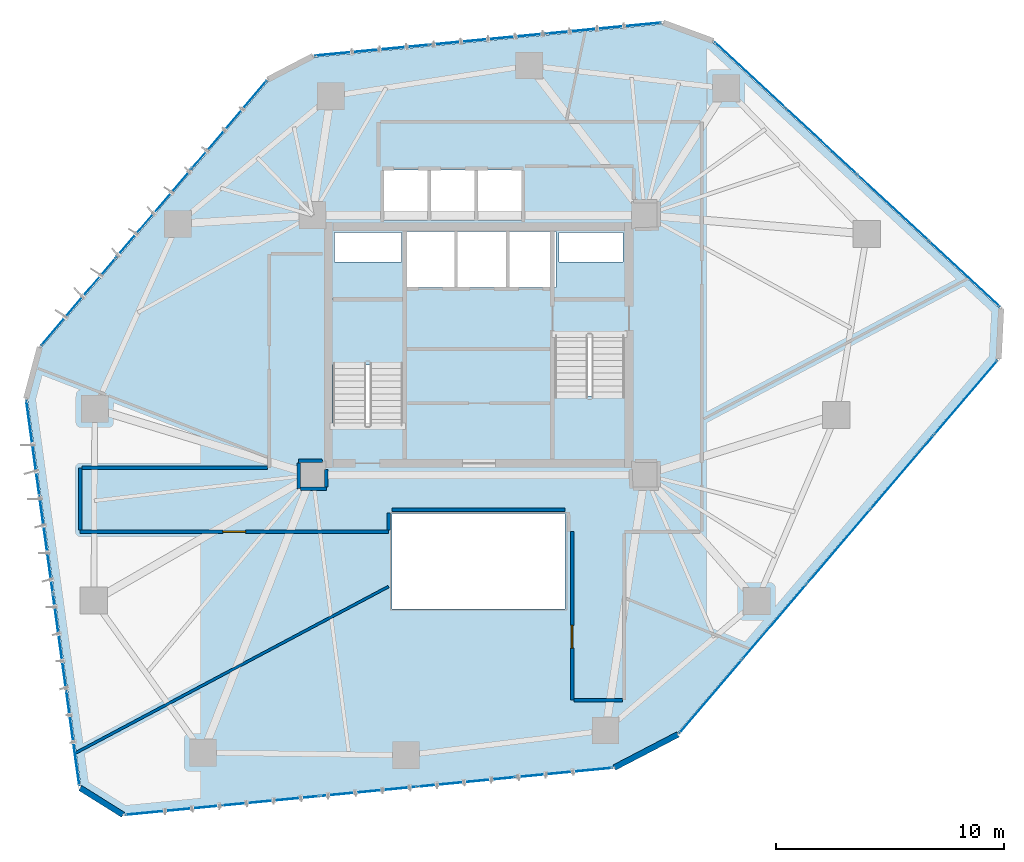
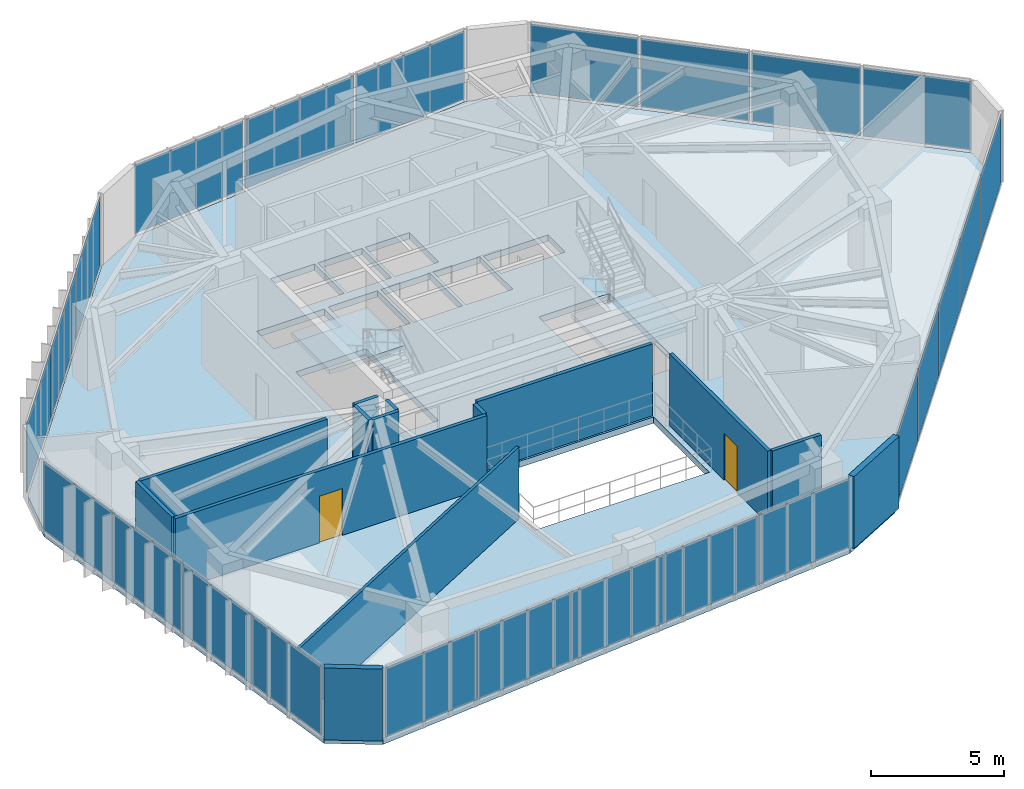
# One storey, part 17 of 22: 24 plates, 14 walls, 3 slabs, 2 doors, 2 openings, 8 elements without a shape of their own.
"""IFC4 building model written with IfcOpenShell, lengths in metres."""

from ifc_helpers import new_model, si_unit, direction, frame, frame_2d, origin, origin_2d, place, context, subcontext, project, spatial, polyline, rectangle, outline, extrude, source, transform, mapped, material, layer, layer_set, type_object, type_shapes, element, fill, aggregate, save


model = new_model("IFC4")

# Units and contexts
model_context = context("Model", 3, precision=1e-05, world=origin(), true_north=direction((0.0, 1.0)))
body_context = subcontext(model_context, "Body", "Model", "MODEL_VIEW")
ifc_project = project(units=[si_unit("LENGTHUNIT", "METRE"), si_unit("AREAUNIT", "SQUARE_METRE"), si_unit("VOLUMEUNIT", "CUBIC_METRE"), si_unit("PLANEANGLEUNIT", "RADIAN"), si_unit("MASSUNIT", "GRAM", prefix="KILO")], contexts=[model_context])

# Site, building, storey
site_placement = place(None, origin())
site = spatial("IfcSite", under=ifc_project, at=site_placement, CompositionType="ELEMENT")
building_placement = place(site_placement, origin())
building = spatial("IfcBuilding", under=site, at=building_placement, Name="Talar Marvaseh", CompositionType="ELEMENT")
storey_placement = place(building_placement, frame((0.0, 0.0, 107.39990234375)))
storey = spatial("IfcBuildingStorey", under=building, at=storey_placement, Name="L27", CompositionType="ELEMENT", Elevation=107.39990234375)

# Stair, slab
ifc_material_1 = material(Name="Concrete C40/50", Category="concrete")
stair_type = type_object("IfcStairType", Name="Reinforced Concrete Half-Turn Exit Stair Type B", PredefinedType="HALF_TURN_STAIR", material=ifc_material_1)
stair_1_placement = place(storey_placement, origin())
stair_1 = element("IfcStair", 1, at=stair_1_placement, inside=storey, type_object=stair_type, Name="L27 Tower West Core Exit Stair", PredefinedType="HALF_TURN_STAIR")
ifc_layer_1 = layer(ifc_material_1, 0.199951171875)
ifc_layer_set_1 = layer_set([ifc_layer_1], Name="Concrete C40/50")
slab_type_1 = type_object("IfcSlabType", Name="Reinforced Concrete Stair Half-Landing Slab 200", PredefinedType="LANDING", material=ifc_layer_set_1)
slab_1_placement = place(storey_placement, frame((0.0, 0.0, 1.60009765625)))
slab_1 = element("IfcSlab", 2, at=slab_1_placement, type_object=slab_type_1, Name="ST-1 landing 1", PredefinedType="LANDING", context=body_context, shape_type="SweptSolid", body=[
    extrude(outline(polyline([(22.780029296875, 30.330078125), (22.780029296875, 33.219970703125), (19.47998046875, 33.219970703125), (19.47998046875, 30.330078125), (22.780029296875, 30.330078125)])), origin(), (0.0, 0.0, 1.0), 0.199951171875),
])
aggregate(stair_1, [slab_1])

stair_2_placement = place(storey_placement, origin())
stair_2 = element("IfcStair", 3, at=stair_2_placement, inside=storey, type_object=stair_type, Name="L27 Tower East Core Exit Stair", PredefinedType="HALF_TURN_STAIR")
slab_2_placement = place(storey_placement, frame((0.0, 0.0, 1.60009765625)))
slab_2 = element("IfcSlab", 4, at=slab_2_placement, type_object=slab_type_1, Name="ST-2 landing 1", PredefinedType="LANDING", context=body_context, shape_type="SweptSolid", body=[
    extrude(outline(polyline([(29.219970703125, 28.969970703125), (29.219970703125, 26.080078125), (32.52001953125, 26.080078125), (32.52001953125, 28.969970703125), (29.219970703125, 28.969970703125)])), origin(), (0.0, 0.0, 1.0), 0.199951171875),
])
aggregate(stair_2, [slab_2])

# Slab
ifc_layer_2 = layer(ifc_material_1, 0.2900390625)
ifc_layer_set_2 = layer_set([ifc_layer_2], Name="Concrete C40/50")
slab_type_2 = type_object("IfcSlabType", Name="Structural Suspended Floor Slab 290", PredefinedType="FLOOR", material=ifc_layer_set_2)
slab_3_placement = place(storey_placement, frame((0.0, 0.0, -0.289794921875)))
element("IfcSlab", 5, at=slab_3_placement, inside=storey, type_object=slab_type_2, Name="L27 Tower Floor Slab", PredefinedType="FLOOR", context=body_context, shape_type="SweptSolid", body=[
    extrude(outline(polyline([(10.4111328125, 10.618896484375), (8.53271484375, 11.7958984375), (6.185791015625, 28.826416015625), (6.786865234375, 31.0888671875), (16.76806640625, 42.803466796875), (18.759521484375, 43.840087890625), (34.080322265625, 45.297119140625), (36.2783203125, 44.49169921875), (48.8828125, 32.80078125), (48.769775390625, 30.587158203125), (34.7275390625, 14.151123046875), (31.928955078125, 12.694091796875), (10.4111328125, 10.618896484375)]), holes=[polyline([(22.659912109375, 27.64990234375), (22.659912109375, 33.10009765625), (19.60009765625, 33.10009765625), (19.60009765625, 27.64990234375), (22.659912109375, 27.64990234375)]), polyline([(29.340087890625, 31.64990234375), (29.340087890625, 26.199951171875), (32.39990234375, 26.199951171875), (32.39990234375, 31.64990234375), (29.340087890625, 31.64990234375)]), polyline([(22.800048828125, 33.719970703125), (24.93994140625, 33.719970703125), (24.93994140625, 36.179931640625), (22.800048828125, 36.179931640625), (22.800048828125, 33.719970703125)]), polyline([(25.080078125, 33.719970703125), (27.219970703125, 33.719970703125), (27.219970703125, 36.179931640625), (25.080078125, 36.179931640625), (25.080078125, 33.719970703125)]), polyline([(27.360107421875, 33.719970703125), (29.39990234375, 33.719970703125), (29.39990234375, 36.179931640625), (27.360107421875, 36.179931640625), (27.360107421875, 33.719970703125)]), polyline([(21.840087890625, 36.659912109375), (23.760009765625, 36.659912109375), (23.760009765625, 38.8798828125), (21.840087890625, 38.8798828125), (21.840087890625, 36.659912109375)]), polyline([(23.89990234375, 36.659912109375), (25.820068359375, 36.659912109375), (25.820068359375, 38.8798828125), (23.89990234375, 38.8798828125), (23.89990234375, 36.659912109375)]), polyline([(25.9599609375, 36.659912109375), (27.8798828125, 36.659912109375), (27.8798828125, 38.8798828125), (25.9599609375, 38.8798828125), (25.9599609375, 36.659912109375)]), polyline([(19.659912109375, 34.840087890625), (22.60009765625, 34.840087890625), (22.60009765625, 36.139892578125), (19.659912109375, 36.139892578125), (19.659912109375, 34.840087890625)]), polyline([(29.52001953125, 34.840087890625), (32.340087890625, 34.840087890625), (32.340087890625, 36.139892578125), (29.52001953125, 36.139892578125), (29.52001953125, 34.840087890625)]), polyline([(22.199951171875, 19.60009765625), (29.800048828125, 19.60009765625), (29.800048828125, 23.800048828125), (22.199951171875, 23.800048828125), (22.199951171875, 19.60009765625)])]), origin(), (0.0, 0.0, 1.0), 0.289794921875),
])

# Curtain wall, plates
ifc_material_2 = material(Name="Architectural Aluminium", Category="aluminium")
ifc_layer_3 = layer(ifc_material_2, 0.199951171875)
ifc_layer_set_3 = layer_set([ifc_layer_3], Name="Architectural Aluminium")
curtain_wall_type = type_object("IfcCurtainWallType", Name="Unitised Acoustic Library Curtain Wall Z2", PredefinedType="NOTDEFINED", material=ifc_layer_set_3)
curtain_wall_1_placement = place(storey_placement, origin())
curtain_wall_1 = element("IfcCurtainWall", 6, at=curtain_wall_1_placement, inside=storey, type_object=curtain_wall_type, Name="L27 Unitised Acoustic Library Curtain Wall Z2", PredefinedType="NOTDEFINED")
ifc_material_3 = material(Name="Laminated Low-E Solar Glass", Category="glass")
ifc_layer_4 = layer(ifc_material_3, 0.028076171875)
ifc_layer_set_4 = layer_set([ifc_layer_4], Name="Laminated Low-E Solar Glass")
plate_type = type_object("IfcPlateType", Name="Double-Glazed Low-E Vision Curtain Panel 28", PredefinedType="CURTAIN_PANEL", material=ifc_layer_set_4)
shared_shape_1 = source(origin(), body_context, "Body", "SweptSolid", [
    extrude(rectangle(XDim=4.185302734375, YDim=0.028076171875, at=origin_2d()), origin(), (0.0, 0.0, 1.0), 3.159912109375),
])
plate_1_placement = place(storey_placement, frame((8.177490234375, 13.93505859375, 0.0751953125), z_axis=(0.0, 0.0, 1.0), x_axis=(-0.136514767906, 0.990638035886, 0.0)))
plate_1 = element("IfcPlate", 7, at=plate_1_placement, type_object=plate_type, Name="CW-Z2 panel 1.1", PredefinedType="CURTAIN_PANEL", context=body_context, shape_type="MappedRepresentation", body=[
    mapped(shared_shape_1, transform((0.0, 0.0, 0.0), x_axis=(1.0, 0.0, 0.0), y_axis=(0.0, 1.0, 0.0), z_axis=(0.0, 0.0, 1.0), scale=1.0)),
])
plate_2_placement = place(storey_placement, frame((6.42236328125, 26.6708984375, 0.0751953125), z_axis=(0.0, 0.0, 1.0), x_axis=(-0.136514767906, 0.990638035886, 0.0)))
plate_2 = element("IfcPlate", 8, at=plate_2_placement, type_object=plate_type, Name="CW-Z2 panel 4.1", PredefinedType="CURTAIN_PANEL", context=body_context, shape_type="MappedRepresentation", body=[
    mapped(shared_shape_1, transform((0.0, 0.0, 0.0), x_axis=(1.0, 0.0, 0.0), y_axis=(0.0, 1.0, 0.0), z_axis=(0.0, 0.0, 1.0), scale=1.0)),
])

curtain_wall_2_placement = place(storey_placement, origin())
curtain_wall_2 = element("IfcCurtainWall", 9, at=curtain_wall_2_placement, inside=storey, type_object=curtain_wall_type, Name="L27 Unitised Acoustic Library Curtain Wall Z2", PredefinedType="NOTDEFINED")
plate_3_placement = place(storey_placement, frame((37.908203125, 43.0615234375, 0.0751953125), z_axis=(0.0, 0.0, 1.0), x_axis=(0.733184100264, -0.680030201623, 0.0)))
plate_3 = element("IfcPlate", 10, at=plate_3_placement, type_object=plate_type, Name="CW-Z2 panel 1.1", PredefinedType="CURTAIN_PANEL", context=body_context, shape_type="MappedRepresentation", body=[
    mapped(shared_shape_1, transform((0.0, 0.0, 0.0), x_axis=(1.0, 0.0, 0.0), y_axis=(0.0, 1.0, 0.0), z_axis=(0.0, 0.0, 1.0), scale=1.0)),
])
plate_4_placement = place(storey_placement, frame((47.334228515625, 34.31884765625, 0.0751953125), z_axis=(0.0, 0.0, 1.0), x_axis=(0.733184100264, -0.680030201623, 0.0)))
plate_4 = element("IfcPlate", 11, at=plate_4_placement, type_object=plate_type, Name="CW-Z2 panel 4.1", PredefinedType="CURTAIN_PANEL", context=body_context, shape_type="MappedRepresentation", body=[
    mapped(shared_shape_1, transform((0.0, 0.0, 0.0), x_axis=(1.0, 0.0, 0.0), y_axis=(0.0, 1.0, 0.0), z_axis=(0.0, 0.0, 1.0), scale=1.0)),
])

# Plate
shared_shape_2 = source(origin(), body_context, "Body", "SweptSolid", [
    extrude(rectangle(XDim=4.222900390625, YDim=0.028076171875, at=origin_2d()), origin(), (0.0, 0.0, 1.0), 3.159912109375),
])
plate_5_placement = place(storey_placement, frame((7.59326171875, 18.174072265625, 0.0751953125), z_axis=(0.0, 0.0, 1.0), x_axis=(-0.136514767906, 0.990638035886, 0.0)))
plate_5 = element("IfcPlate", 12, at=plate_5_placement, type_object=plate_type, Name="CW-Z2 panel 2.1", PredefinedType="CURTAIN_PANEL", context=body_context, shape_type="MappedRepresentation", body=[
    mapped(shared_shape_2, transform((0.0, 0.0, 0.0), x_axis=(1.0, 0.0, 0.0), y_axis=(0.0, 1.0, 0.0), z_axis=(0.0, 0.0, 1.0), scale=1.0)),
])

plate_6_placement = place(storey_placement, frame((7.006591796875, 22.431884765625, 0.0751953125), z_axis=(0.0, 0.0, 1.0), x_axis=(-0.136514767906, 0.990638035886, 0.0)))
plate_6 = element("IfcPlate", 13, at=plate_6_placement, type_object=plate_type, Name="CW-Z2 panel 3.1", PredefinedType="CURTAIN_PANEL", context=body_context, shape_type="MappedRepresentation", body=[
    mapped(shared_shape_2, transform((0.0, 0.0, 0.0), x_axis=(1.0, 0.0, 0.0), y_axis=(0.0, 1.0, 0.0), z_axis=(0.0, 0.0, 1.0), scale=1.0)),
])

aggregate(curtain_wall_1, [plate_1, plate_5, plate_6, plate_2])

plate_7_placement = place(storey_placement, frame((41.045654296875, 40.151611328125, 0.0751953125), z_axis=(0.0, 0.0, 1.0), x_axis=(0.733184100264, -0.680030201623, 0.0)))
plate_7 = element("IfcPlate", 14, at=plate_7_placement, type_object=plate_type, Name="CW-Z2 panel 2.1", PredefinedType="CURTAIN_PANEL", context=body_context, shape_type="MappedRepresentation", body=[
    mapped(shared_shape_2, transform((0.0, 0.0, 0.0), x_axis=(1.0, 0.0, 0.0), y_axis=(0.0, 1.0, 0.0), z_axis=(0.0, 0.0, 1.0), scale=1.0)),
])

plate_8_placement = place(storey_placement, frame((44.19677734375, 37.228759765625, 0.0751953125), z_axis=(0.0, 0.0, 1.0), x_axis=(0.733184100264, -0.680030201623, 0.0)))
plate_8 = element("IfcPlate", 15, at=plate_8_placement, type_object=plate_type, Name="CW-Z2 panel 3.1", PredefinedType="CURTAIN_PANEL", context=body_context, shape_type="MappedRepresentation", body=[
    mapped(shared_shape_2, transform((0.0, 0.0, 0.0), x_axis=(1.0, 0.0, 0.0), y_axis=(0.0, 1.0, 0.0), z_axis=(0.0, 0.0, 1.0), scale=1.0)),
])

aggregate(curtain_wall_2, [plate_3, plate_7, plate_8, plate_4])

# Curtain wall, plates
curtain_wall_3_placement = place(storey_placement, origin())
curtain_wall_3 = element("IfcCurtainWall", 16, at=curtain_wall_3_placement, inside=storey, type_object=curtain_wall_type, Name="L27 Unitised Acoustic Library Curtain Wall Z2", PredefinedType="NOTDEFINED")
shared_shape_3 = source(origin(), body_context, "Body", "SweptSolid", [
    extrude(rectangle(XDim=5.017578125, YDim=0.028076171875, at=origin_2d()), origin(), (0.0, 0.0, 1.0), 3.159912109375),
])
plate_9_placement = place(storey_placement, frame((8.416748046875, 33.094482421875, 0.0751953125), z_axis=(0.0, 0.0, 1.0), x_axis=(0.648545384847, 0.7611759874, 0.0)))
plate_9 = element("IfcPlate", 17, at=plate_9_placement, type_object=plate_type, Name="CW-Z2 panel 1.1", PredefinedType="CURTAIN_PANEL", context=body_context, shape_type="MappedRepresentation", body=[
    mapped(shared_shape_3, transform((0.0, 0.0, 0.0), x_axis=(1.0, 0.0, 0.0), y_axis=(0.0, 1.0, 0.0), z_axis=(0.0, 0.0, 1.0), scale=1.0)),
])
plate_10_placement = place(storey_placement, frame((15.046630859375, 40.875732421875, 0.0751953125), z_axis=(0.0, 0.0, 1.0), x_axis=(0.648545384847, 0.7611759874, 0.0)))
plate_10 = element("IfcPlate", 18, at=plate_10_placement, type_object=plate_type, Name="CW-Z2 panel 3.1", PredefinedType="CURTAIN_PANEL", context=body_context, shape_type="MappedRepresentation", body=[
    mapped(shared_shape_3, transform((0.0, 0.0, 0.0), x_axis=(1.0, 0.0, 0.0), y_axis=(0.0, 1.0, 0.0), z_axis=(0.0, 0.0, 1.0), scale=1.0)),
])

curtain_wall_4_placement = place(storey_placement, origin())
curtain_wall_4 = element("IfcCurtainWall", 19, at=curtain_wall_4_placement, inside=storey, type_object=curtain_wall_type, Name="L27 Unitised Acoustic Library Curtain Wall Z2", PredefinedType="NOTDEFINED")
plate_11_placement = place(storey_placement, frame((21.325927734375, 44.144287109375, 0.0751953125), z_axis=(0.0, 0.0, 1.0), x_axis=(0.995508604394, 0.094671107411, 0.0)))
plate_11 = element("IfcPlate", 20, at=plate_11_placement, type_object=plate_type, Name="CW-Z2 panel 1.1", PredefinedType="CURTAIN_PANEL", context=body_context, shape_type="MappedRepresentation", body=[
    mapped(shared_shape_3, transform((0.0, 0.0, 0.0), x_axis=(1.0, 0.0, 0.0), y_axis=(0.0, 1.0, 0.0), z_axis=(0.0, 0.0, 1.0), scale=1.0)),
])
plate_12_placement = place(storey_placement, frame((31.50244140625, 45.1123046875, 0.0751953125), z_axis=(0.0, 0.0, 1.0), x_axis=(0.995508604394, 0.094671107411, 0.0)))
plate_12 = element("IfcPlate", 21, at=plate_12_placement, type_object=plate_type, Name="CW-Z2 panel 3.1", PredefinedType="CURTAIN_PANEL", context=body_context, shape_type="MappedRepresentation", body=[
    mapped(shared_shape_3, transform((0.0, 0.0, 0.0), x_axis=(1.0, 0.0, 0.0), y_axis=(0.0, 1.0, 0.0), z_axis=(0.0, 0.0, 1.0), scale=1.0)),
])

# Plate
shared_shape_4 = source(origin(), body_context, "Body", "SweptSolid", [
    extrude(rectangle(XDim=5.054931640625, YDim=0.028076171875, at=origin_2d()), origin(), (0.0, 0.0, 1.0), 3.159912109375),
])
plate_13_placement = place(storey_placement, frame((11.731689453125, 36.985107421875, 0.0751953125), z_axis=(0.0, 0.0, 1.0), x_axis=(0.648545384847, 0.7611759874, 0.0)))
plate_13 = element("IfcPlate", 22, at=plate_13_placement, type_object=plate_type, Name="CW-Z2 panel 2.1", PredefinedType="CURTAIN_PANEL", context=body_context, shape_type="MappedRepresentation", body=[
    mapped(shared_shape_4, transform((0.0, 0.0, 0.0), x_axis=(1.0, 0.0, 0.0), y_axis=(0.0, 1.0, 0.0), z_axis=(0.0, 0.0, 1.0), scale=1.0)),
])

aggregate(curtain_wall_3, [plate_9, plate_13, plate_10])

plate_14_placement = place(storey_placement, frame((26.414306640625, 44.62841796875, 0.0751953125), z_axis=(0.0, 0.0, 1.0), x_axis=(0.995508604394, 0.094671107411, 0.0)))
plate_14 = element("IfcPlate", 23, at=plate_14_placement, type_object=plate_type, Name="CW-Z2 panel 2.1", PredefinedType="CURTAIN_PANEL", context=body_context, shape_type="MappedRepresentation", body=[
    mapped(shared_shape_4, transform((0.0, 0.0, 0.0), x_axis=(1.0, 0.0, 0.0), y_axis=(0.0, 1.0, 0.0), z_axis=(0.0, 0.0, 1.0), scale=1.0)),
])

aggregate(curtain_wall_4, [plate_11, plate_14, plate_12])

# Curtain wall, plates
curtain_wall_5_placement = place(storey_placement, origin())
curtain_wall_5 = element("IfcCurtainWall", 24, at=curtain_wall_5_placement, inside=storey, type_object=curtain_wall_type, Name="L27 Unitised Acoustic Library Curtain Wall Z2", PredefinedType="NOTDEFINED")
shared_shape_5 = source(origin(), body_context, "Body", "SweptSolid", [
    extrude(rectangle(XDim=4.2109375, YDim=0.028076171875, at=origin_2d()), origin(), (0.0, 0.0, 1.0), 3.159912109375),
])
plate_15_placement = place(storey_placement, frame((47.39892578125, 28.89013671875, 0.0751953125), z_axis=(0.0, 0.0, 1.0), x_axis=(-0.649566527801, -0.760304758607, 0.0)))
plate_15 = element("IfcPlate", 25, at=plate_15_placement, type_object=plate_type, Name="CW-Z2 panel 1.1", PredefinedType="CURTAIN_PANEL", context=body_context, shape_type="MappedRepresentation", body=[
    mapped(shared_shape_5, transform((0.0, 0.0, 0.0), x_axis=(1.0, 0.0, 0.0), y_axis=(0.0, 1.0, 0.0), z_axis=(0.0, 0.0, 1.0), scale=1.0)),
])
plate_16_placement = place(storey_placement, frame((36.189697265625, 15.77001953125, 0.0751953125), z_axis=(0.0, 0.0, 1.0), x_axis=(-0.649566527801, -0.760304758607, 0.0)))
plate_16 = element("IfcPlate", 26, at=plate_16_placement, type_object=plate_type, Name="CW-Z2 panel 5.1", PredefinedType="CURTAIN_PANEL", context=body_context, shape_type="MappedRepresentation", body=[
    mapped(shared_shape_5, transform((0.0, 0.0, 0.0), x_axis=(1.0, 0.0, 0.0), y_axis=(0.0, 1.0, 0.0), z_axis=(0.0, 0.0, 1.0), scale=1.0)),
])

curtain_wall_6_placement = place(storey_placement, origin())
curtain_wall_6 = element("IfcCurtainWall", 27, at=curtain_wall_6_placement, inside=storey, type_object=curtain_wall_type, Name="L27 Unitised Acoustic Library Curtain Wall Z2", PredefinedType="NOTDEFINED")
plate_17_placement = place(storey_placement, frame((29.76416015625, 12.425048828125, 0.0751953125), z_axis=(0.0, 0.0, 1.0), x_axis=(-0.995381306951, -0.096000280061, 0.0)))
plate_17 = element("IfcPlate", 28, at=plate_17_placement, type_object=plate_type, Name="CW-Z2 panel 1.1", PredefinedType="CURTAIN_PANEL", context=body_context, shape_type="MappedRepresentation", body=[
    mapped(shared_shape_5, transform((0.0, 0.0, 0.0), x_axis=(1.0, 0.0, 0.0), y_axis=(0.0, 1.0, 0.0), z_axis=(0.0, 0.0, 1.0), scale=1.0)),
])
plate_18_placement = place(storey_placement, frame((12.58740234375, 10.7685546875, 0.0751953125), z_axis=(0.0, 0.0, 1.0), x_axis=(-0.995381306951, -0.096000280061, 0.0)))
plate_18 = element("IfcPlate", 29, at=plate_18_placement, type_object=plate_type, Name="CW-Z2 panel 5.1", PredefinedType="CURTAIN_PANEL", context=body_context, shape_type="MappedRepresentation", body=[
    mapped(shared_shape_5, transform((0.0, 0.0, 0.0), x_axis=(1.0, 0.0, 0.0), y_axis=(0.0, 1.0, 0.0), z_axis=(0.0, 0.0, 1.0), scale=1.0)),
])

# Plate
shared_shape_6 = source(origin(), body_context, "Body", "SweptSolid", [
    extrude(rectangle(XDim=4.24853515625, YDim=0.028076171875, at=origin_2d()), origin(), (0.0, 0.0, 1.0), 3.159912109375),
])
type_shapes(plate_type, [shared_shape_1, shared_shape_2, shared_shape_3, shared_shape_4, shared_shape_5, shared_shape_6])
plate_19_placement = place(storey_placement, frame((44.602783203125, 25.6171875, 0.0751953125), z_axis=(0.0, 0.0, 1.0), x_axis=(-0.649566527801, -0.760304758607, 0.0)))
plate_19 = element("IfcPlate", 30, at=plate_19_placement, type_object=plate_type, Name="CW-Z2 panel 2.1", PredefinedType="CURTAIN_PANEL", context=body_context, shape_type="MappedRepresentation", body=[
    mapped(shared_shape_6, transform((0.0, 0.0, 0.0), x_axis=(1.0, 0.0, 0.0), y_axis=(0.0, 1.0, 0.0), z_axis=(0.0, 0.0, 1.0), scale=1.0)),
])

plate_20_placement = place(storey_placement, frame((41.794189453125, 22.330078125, 0.0751953125), z_axis=(0.0, 0.0, 1.0), x_axis=(-0.649566527801, -0.760304758607, 0.0)))
plate_20 = element("IfcPlate", 31, at=plate_20_placement, type_object=plate_type, Name="CW-Z2 panel 3.1", PredefinedType="CURTAIN_PANEL", context=body_context, shape_type="MappedRepresentation", body=[
    mapped(shared_shape_6, transform((0.0, 0.0, 0.0), x_axis=(1.0, 0.0, 0.0), y_axis=(0.0, 1.0, 0.0), z_axis=(0.0, 0.0, 1.0), scale=1.0)),
])

plate_21_placement = place(storey_placement, frame((38.98583984375, 19.04296875, 0.0751953125), z_axis=(0.0, 0.0, 1.0), x_axis=(-0.649566527801, -0.760304758607, 0.0)))
plate_21 = element("IfcPlate", 32, at=plate_21_placement, type_object=plate_type, Name="CW-Z2 panel 4.1", PredefinedType="CURTAIN_PANEL", context=body_context, shape_type="MappedRepresentation", body=[
    mapped(shared_shape_6, transform((0.0, 0.0, 0.0), x_axis=(1.0, 0.0, 0.0), y_axis=(0.0, 1.0, 0.0), z_axis=(0.0, 0.0, 1.0), scale=1.0)),
])

aggregate(curtain_wall_5, [plate_15, plate_19, plate_20, plate_21, plate_16])

plate_22_placement = place(storey_placement, frame((25.479248046875, 12.011962890625, 0.0751953125), z_axis=(0.0, 0.0, 1.0), x_axis=(-0.995381306951, -0.096000280061, 0.0)))
plate_22 = element("IfcPlate", 33, at=plate_22_placement, type_object=plate_type, Name="CW-Z2 panel 2.1", PredefinedType="CURTAIN_PANEL", context=body_context, shape_type="MappedRepresentation", body=[
    mapped(shared_shape_6, transform((0.0, 0.0, 0.0), x_axis=(1.0, 0.0, 0.0), y_axis=(0.0, 1.0, 0.0), z_axis=(0.0, 0.0, 1.0), scale=1.0)),
])

plate_23_placement = place(storey_placement, frame((21.17578125, 11.596923828125, 0.0751953125), z_axis=(0.0, 0.0, 1.0), x_axis=(-0.995381306951, -0.096000280061, 0.0)))
plate_23 = element("IfcPlate", 34, at=plate_23_placement, type_object=plate_type, Name="CW-Z2 panel 3.1", PredefinedType="CURTAIN_PANEL", context=body_context, shape_type="MappedRepresentation", body=[
    mapped(shared_shape_6, transform((0.0, 0.0, 0.0), x_axis=(1.0, 0.0, 0.0), y_axis=(0.0, 1.0, 0.0), z_axis=(0.0, 0.0, 1.0), scale=1.0)),
])

plate_24_placement = place(storey_placement, frame((16.872314453125, 11.181884765625, 0.0751953125), z_axis=(0.0, 0.0, 1.0), x_axis=(-0.995381306951, -0.096000280061, 0.0)))
plate_24 = element("IfcPlate", 35, at=plate_24_placement, type_object=plate_type, Name="CW-Z2 panel 4.1", PredefinedType="CURTAIN_PANEL", context=body_context, shape_type="MappedRepresentation", body=[
    mapped(shared_shape_6, transform((0.0, 0.0, 0.0), x_axis=(1.0, 0.0, 0.0), y_axis=(0.0, 1.0, 0.0), z_axis=(0.0, 0.0, 1.0), scale=1.0)),
])

aggregate(curtain_wall_6, [plate_17, plate_22, plate_23, plate_24, plate_18])

# Walls
ifc_material_4 = material(Name="Precast concrete C45/55", Category="concrete")
ifc_layer_5 = layer(ifc_material_4, 0.2548828125)
ifc_layer_set_5 = layer_set([ifc_layer_5], Name="Precast concrete C45/55")
wall_type_1 = type_object("IfcWallType", Name="Chamfered Hexagonal Corner Pier Wall Z2 255", PredefinedType="SOLIDWALL", material=ifc_layer_set_5)
wall_1_placement = place(storey_placement, frame((10.379150390625, 10.568115234375, 0.0), z_axis=(0.0, 0.0, 1.0), x_axis=(-0.847360323756, 0.531018344056, 0.0)))
element("IfcWall", 36, at=wall_1_placement, inside=storey, type_object=wall_type_1, Name="L27 Chamfered Corner Limestone Pier 1", PredefinedType="SOLIDWALL", context=body_context, shape_type="SweptSolid", body=[
    extrude(rectangle(XDim=2.216552734375, YDim=0.2548828125, at=frame_2d((1.1083984375, 0.0))), origin(), (0.0, 0.0, 1.0), 3.31005859375),
])
wall_2_placement = place(storey_placement, frame((34.75537109375, 14.097900390625, 0.0), z_axis=(0.0, 0.0, 1.0), x_axis=(-0.887035572235, -0.46170108684, 0.0)))
element("IfcWall", 37, at=wall_2_placement, inside=storey, type_object=wall_type_1, Name="L27 Chamfered Corner Limestone Pier 6", PredefinedType="SOLIDWALL", context=body_context, shape_type="SweptSolid", body=[
    extrude(rectangle(XDim=3.1552734375, YDim=0.2548828125, at=frame_2d((1.57763671875, 0.0))), origin(), (0.0, 0.0, 1.0), 3.31005859375),
])

# Wall, opening, door
ifc_material_5 = material(Name="Gypsum Board Partition Assembly")
ifc_layer_6 = layer(ifc_material_5, 0.155029296875)
ifc_layer_set_6 = layer_set([ifc_layer_6], Name="Gypsum Board Partition Assembly")
wall_type_2 = type_object("IfcWallType", Name="Corridor Fire-Rated Acoustic Partition 155", PredefinedType="PARTITIONING", material=ifc_layer_set_6)
wall_3_placement = place(storey_placement, frame((22.0400390625, 23.0, 0.0), z_axis=(0.0, 0.0, 1.0), x_axis=(-1.0, 0.0, 0.0)))
wall_3 = element("IfcWall", 38, at=wall_3_placement, inside=storey, type_object=wall_type_2, Name="L27 Interior Partition Wall", PredefinedType="PARTITIONING", context=body_context, shape_type="SweptSolid", body=[
    extrude(rectangle(XDim=13.5400390625, YDim=0.155029296875, at=frame_2d((6.77001953125, 0.0))), origin(), (0.0, 0.0, 1.0), 3.31005859375),
])
opening_1_placement = place(wall_3_placement, frame((6.27001953125, 0.0, 0.0)))
opening_1 = element("IfcOpeningElement", 39, at=opening_1_placement, cuts=wall_3, Name="Opening DR-RM100", PredefinedType="OPENING", context=body_context, shape_type="SweptSolid", body=[
    extrude(rectangle(XDim=1.0, YDim=2.14990234375, at=frame_2d((0.5, 1.074951171875))), frame((0.0, 0.08740234375, 0.0), z_axis=(0.0, -1.0, 0.0), x_axis=(1.0, 0.0, 0.0)), (0.0, 0.0, 1.0), 0.175048828125),
])
ifc_material_6 = material(Name="Acoustic Engineered Oak Timber", Category="wood")
door_type = type_object("IfcDoorType", Name="Corridor Fire-Rated Gallery Door 1000x2150", OperationType="NOTDEFINED", PredefinedType="DOOR", material=ifc_material_6)
shared_shape_7 = source(origin(), body_context, "Body", "SweptSolid", [
    extrude(rectangle(XDim=1.0, YDim=2.14990234375, at=frame_2d((0.5, 1.074951171875))), frame((0.0, 0.02490234375, 0.0), z_axis=(0.0, -1.0, 0.0), x_axis=(1.0, 0.0, 0.0)), (0.0, 0.0, 1.0), 0.050048828125),
])
type_shapes(door_type, [shared_shape_7])
door_1_placement = place(opening_1_placement, origin())
door_1 = element("IfcDoor", 40, at=door_1_placement, inside=storey, type_object=door_type, Name="L27 Curatorial Office Door", OperationType="SINGLE_SWING_RIGHT", OverallHeight=2.14990234375, OverallWidth=1.0, PredefinedType="DOOR", context=body_context, shape_type="MappedRepresentation", body=[
    mapped(shared_shape_7, transform((0.0, 0.0, 0.0), x_axis=(1.0, 0.0, 0.0), y_axis=(0.0, 1.0, 0.0), z_axis=(0.0, 0.0, 1.0), scale=1.0)),
])
fill(opening_1, door_1)

wall_4_placement = place(storey_placement, frame((30.10009765625, 15.60009765625, 0.0), z_axis=(0.0, 0.0, 1.0), x_axis=(0.0, 1.0, 0.0)))
wall_4 = element("IfcWall", 41, at=wall_4_placement, inside=storey, type_object=wall_type_2, Name="L27 Interior Partition Wall", PredefinedType="PARTITIONING", context=body_context, shape_type="SweptSolid", body=[
    extrude(rectangle(XDim=7.39990234375, YDim=0.155029296875, at=frame_2d((3.699951171875, 0.0))), origin(), (0.0, 0.0, 1.0), 3.31005859375),
])
opening_2_placement = place(wall_4_placement, frame((2.291259765625, 0.0, 0.0)))
opening_2 = element("IfcOpeningElement", 42, at=opening_2_placement, cuts=wall_4, Name="Opening DR-RM100", PredefinedType="OPENING", context=body_context, shape_type="SweptSolid", body=[
    extrude(rectangle(XDim=1.0, YDim=2.14990234375, at=frame_2d((0.5, 1.074951171875))), frame((0.0, 0.08740234375, 0.0), z_axis=(0.0, -1.0, 0.0), x_axis=(1.0, 0.0, 0.0)), (0.0, 0.0, 1.0), 0.175048828125),
])
door_2_placement = place(opening_2_placement, origin())
door_2 = element("IfcDoor", 43, at=door_2_placement, inside=storey, type_object=door_type, Name="L27 Seminar Room Door", OperationType="SINGLE_SWING_LEFT", OverallHeight=2.14990234375, OverallWidth=1.0, PredefinedType="DOOR", context=body_context, shape_type="MappedRepresentation", body=[
    mapped(shared_shape_7, transform((0.0, 0.0, 0.0), x_axis=(1.0, 0.0, 0.0), y_axis=(0.0, 1.0, 0.0), z_axis=(0.0, 0.0, 1.0), scale=1.0)),
])
fill(opening_2, door_2)

# Walls
wall_5_placement = place(storey_placement, frame((29.800048828125, 23.9599609375, 0.0), z_axis=(0.0, 0.0, 1.0), x_axis=(-0.999999995375, -9.617234e-05, 0.0)))
element("IfcWall", 44, at=wall_5_placement, inside=storey, type_object=wall_type_2, Name="L27 Interior Partition Wall", PredefinedType="PARTITIONING", context=body_context, shape_type="SweptSolid", body=[
    extrude(rectangle(XDim=7.61572265625, YDim=0.155029296875, at=frame_2d((3.807861328125, 0.0))), origin(), (0.0, 0.0, 1.0), 3.31005859375),
])
wall_6_placement = place(storey_placement, frame((22.043212890625, 23.831298828125, 0.0), z_axis=(0.0, 0.0, 1.0), x_axis=(-0.003917697652, -0.999992325793, 0.0)))
element("IfcWall", 45, at=wall_6_placement, inside=storey, type_object=wall_type_2, Name="L27 Interior Partition Wall", PredefinedType="PARTITIONING", context=body_context, shape_type="SweptSolid", body=[
    extrude(rectangle(XDim=0.747802734375, YDim=0.155029296875, at=frame_2d((0.3740234375, 0.0))), origin(), (0.0, 0.0, 1.0), 3.31005859375),
])
wall_7_placement = place(storey_placement, frame((8.5, 23.08349609375, 0.0), z_axis=(0.0, 0.0, 1.0), x_axis=(0.0, 1.0, 0.0)))
element("IfcWall", 46, at=wall_7_placement, inside=storey, type_object=wall_type_2, Name="L27 Interior Partition Wall", PredefinedType="PARTITIONING", context=body_context, shape_type="SweptSolid", body=[
    extrude(rectangle(XDim=2.716552734375, YDim=0.155029296875, at=frame_2d((1.3583984375, 0.0))), origin(), (0.0, 0.0, 1.0), 3.31005859375),
])
wall_8_placement = place(storey_placement, frame((8.58349609375, 25.800048828125, 0.0), z_axis=(0.0, 0.0, 1.0), x_axis=(1.0, 0.0, 0.0)))
element("IfcWall", 47, at=wall_8_placement, inside=storey, type_object=wall_type_2, Name="L27 Interior Partition Wall", PredefinedType="PARTITIONING", context=body_context, shape_type="SweptSolid", body=[
    extrude(rectangle(XDim=8.133056640625, YDim=0.155029296875, at=frame_2d((4.06640625, 0.0))), origin(), (0.0, 0.0, 1.0), 3.31005859375),
])
wall_9_placement = place(storey_placement, frame((19.1298828125, 26.114990234375, 0.0), z_axis=(0.0, 0.0, 1.0), x_axis=(-0.999986702653, -0.005156987215, 0.0)))
element("IfcWall", 48, at=wall_9_placement, inside=storey, type_object=wall_type_2, Name="L27 Interior Partition Wall", PredefinedType="PARTITIONING", context=body_context, shape_type="SweptSolid", body=[
    extrude(rectangle(XDim=1.04150390625, YDim=0.155029296875, at=frame_2d((0.520751953125, 0.0))), origin(), (0.0, 0.0, 1.0), 3.31005859375),
])
wall_10_placement = place(storey_placement, frame((18.088623046875, 26.02587890625, 0.0), z_axis=(0.0, 0.0, 1.0), x_axis=(0.002787893948, -0.999996113816, 0.0)))
element("IfcWall", 49, at=wall_10_placement, inside=storey, type_object=wall_type_2, Name="L27 Interior Partition Wall", PredefinedType="PARTITIONING", context=body_context, shape_type="SweptSolid", body=[
    extrude(rectangle(XDim=1.138427734375, YDim=0.155029296875, at=frame_2d((0.5693359375, 0.0))), origin(), (0.0, 0.0, 1.0), 3.31005859375),
])
wall_11_placement = place(storey_placement, frame((18.17529296875, 24.8876953125, 0.0), z_axis=(0.0, 0.0, 1.0), x_axis=(0.999999791525, 0.000645716611, 0.0)))
element("IfcWall", 50, at=wall_11_placement, inside=storey, type_object=wall_type_2, Name="L27 Interior Partition Wall", PredefinedType="PARTITIONING", context=body_context, shape_type="SweptSolid", body=[
    extrude(rectangle(XDim=1.13427734375, YDim=0.155029296875, at=frame_2d((0.567138671875, 0.0))), origin(), (0.0, 0.0, 1.0), 3.31005859375),
])
wall_12_placement = place(storey_placement, frame((19.31005859375, 24.971923828125, 0.0), z_axis=(0.0, 0.0, 1.0), x_axis=(0.006441090216, 0.999979255963, 0.0)))
element("IfcWall", 51, at=wall_12_placement, inside=storey, type_object=wall_type_2, Name="L27 Interior Partition Wall", PredefinedType="PARTITIONING", context=body_context, shape_type="SweptSolid", body=[
    extrude(rectangle(XDim=0.758056640625, YDim=0.155029296875, at=frame_2d((0.37890625, 0.0))), origin(), (0.0, 0.0, 1.0), 3.31005859375),
])
wall_13_placement = place(storey_placement, frame((32.31640625, 15.60009765625, 0.0), z_axis=(0.0, 0.0, 1.0), x_axis=(-1.0, 0.0, 0.0)))
element("IfcWall", 52, at=wall_13_placement, inside=storey, type_object=wall_type_2, Name="L27 Interior Partition Wall", PredefinedType="PARTITIONING", context=body_context, shape_type="SweptSolid", body=[
    extrude(rectangle(XDim=2.1328125, YDim=0.155029296875, at=frame_2d((1.06640625, 0.0))), origin(), (0.0, 0.0, 1.0), 3.31005859375),
])
ifc_layer_7 = layer(ifc_material_5, 0.1201171875)
ifc_layer_set_7 = layer_set([ifc_layer_7], Name="Gypsum Board Partition Assembly")
wall_type_3 = type_object("IfcWallType", Name="Demountable Studio Room Partition 120", PredefinedType="PARTITIONING", material=ifc_layer_set_7)
wall_14_placement = place(storey_placement, frame((22.0400390625, 20.590087890625, 0.0), z_axis=(0.0, 0.0, 1.0), x_axis=(-0.882965042636, -0.469438743057, 0.0)))
element("IfcWall", 53, at=wall_14_placement, inside=storey, type_object=wall_type_3, Name="L27 Interior Partition Wall", PredefinedType="PARTITIONING", context=body_context, shape_type="SweptSolid", body=[
    extrude(rectangle(XDim=15.57080078125, YDim=0.1201171875, at=frame_2d((7.785400390625, 0.0))), origin(), (0.0, 0.0, 1.0), 3.31005859375),
])

save(model, "model.ifc")
